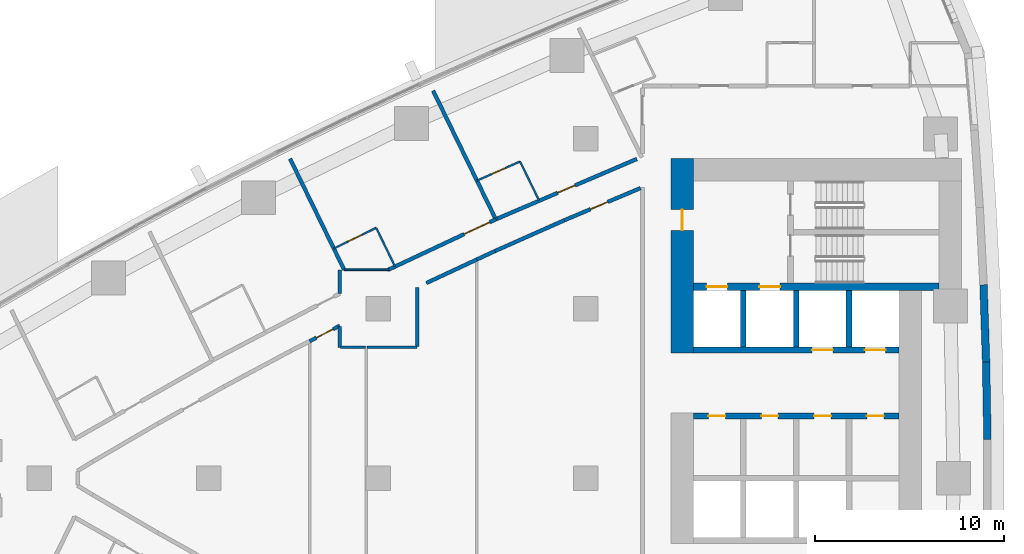
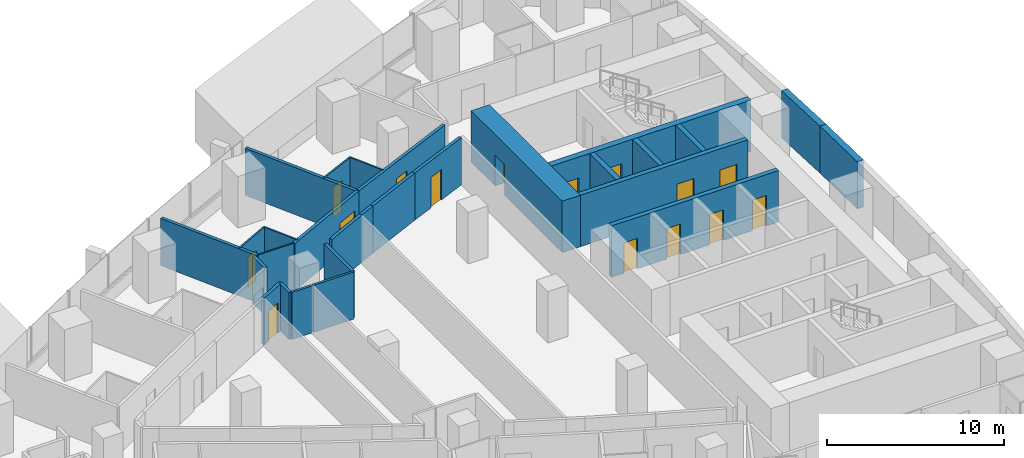
# One storey, part 12 of 19: 28 walls, 15 doors, 15 openings.
"""IFC4 building model written with IfcOpenShell, lengths in metres."""

from ifc_helpers import new_model, si_unit, direction, frame, frame_2d, origin, place, context, subcontext, project, spatial, polyline, rectangle, outline, extrude, material, layer, layer_set, type_object, element, fill, save


model = new_model("IFC4")

# Units and contexts
model_context = context("Model", 3, precision=1e-05, world=origin(), true_north=direction((0.0, 1.0)))
body_context = subcontext(model_context, "Body", "Model", "MODEL_VIEW")
ifc_project = project(units=[si_unit("LENGTHUNIT", "METRE"), si_unit("AREAUNIT", "SQUARE_METRE"), si_unit("VOLUMEUNIT", "CUBIC_METRE"), si_unit("PLANEANGLEUNIT", "RADIAN"), si_unit("MASSUNIT", "GRAM", prefix="KILO")], contexts=[model_context])

# Site, building, storey
site_placement = place(None, origin())
site = spatial("IfcSite", under=ifc_project, at=site_placement, CompositionType="ELEMENT")
building_placement = place(site_placement, origin())
building = spatial("IfcBuilding", under=site, at=building_placement, Name="Ostrand Prow Hotel Tower", CompositionType="ELEMENT")
storey_placement = place(building_placement, frame((0.0, 0.0, 53.800048828125)))
storey = spatial("IfcBuildingStorey", under=building, at=storey_placement, Name="L11", CompositionType="ELEMENT", Elevation=53.800048828125)

# Wall, opening, door
ifc_material_1 = material(Name="Concrete C80/95", Category="concrete")
ifc_layer_1 = layer(ifc_material_1, 1.199951171875)
ifc_layer_set_1 = layer_set([ifc_layer_1], Name="Concrete C80/95")
wall_type_1 = type_object("IfcWallType", Name="Core wall 1200 C80/95", PredefinedType="SHEAR", material=ifc_layer_set_1)
wall_1_placement = place(storey_placement, frame((50.10009765625, 6.64990234375, 0.0), z_axis=(0.0, 0.0, 1.0), x_axis=(0.0, 1.0, 0.0)))
wall_1 = element("IfcWall", 1, at=wall_1_placement, inside=storey, type_object=wall_type_1, Name="Core wall CW-W-N", PredefinedType="SHEAR", context=body_context, shape_type="SweptSolid", body=[
    extrude(rectangle(XDim=10.300048828125, YDim=1.199951171875, at=frame_2d((5.14990234375, 0.0))), origin(), (0.0, 0.0, 1.0), 3.550048828125),
])
opening_1_placement = place(wall_1_placement, frame((6.5, 0.0, 0.0)))
opening_1 = element("IfcOpeningElement", 2, at=opening_1_placement, cuts=wall_1, Name="Opening FD1", PredefinedType="OPENING", context=body_context, shape_type="SweptSolid", body=[
    extrude(rectangle(XDim=1.10009765625, YDim=2.10009765625, at=frame_2d((0.550048828125, 1.050048828125))), frame((0.0, 0.60986328125, 0.0), z_axis=(0.0, -1.0, 0.0), x_axis=(1.0, 0.0, 0.0)), (0.0, 0.0, 1.0), 1.219970703125),
])
ifc_material_2 = material(Name="Steel fire door", Category="steel")
door_type_1 = type_object("IfcDoorType", Name="Fire door 1100 EI120", OperationType="SINGLE_SWING_RIGHT", PredefinedType="DOOR", material=ifc_material_2)
door_1_placement = place(opening_1_placement, origin())
door_1 = element("IfcDoor", 3, at=door_1_placement, inside=storey, type_object=door_type_1, Name="FIRE DOOR", OperationType="SINGLE_SWING_RIGHT", OverallHeight=2.10009765625, OverallWidth=1.10009765625, PredefinedType="DOOR", context=body_context, shape_type="SweptSolid", body=[
    extrude(rectangle(XDim=1.10009765625, YDim=2.10009765625, at=frame_2d((0.550048828125, 1.050048828125))), frame((0.0, 0.02490234375, 0.0), z_axis=(0.0, -1.0, 0.0), x_axis=(1.0, 0.0, 0.0)), (0.0, 0.0, 1.0), 0.050048828125),
])
fill(opening_1, door_1)

# Wall, openings, doors
ifc_material_3 = material(Name="Concrete C80/95", Category="concrete")
ifc_layer_2 = layer(ifc_material_3, 0.300048828125)
ifc_layer_set_2 = layer_set([ifc_layer_2], Name="Concrete C80/95")
wall_type_2 = type_object("IfcWallType", Name="Core wall 300 C80/95", PredefinedType="SHEAR", material=ifc_layer_set_2)
wall_2_placement = place(storey_placement, frame((50.699951171875, 3.300048828125, 0.0), z_axis=(0.0, 0.0, 1.0), x_axis=(1.0, 0.0, 0.0)))
wall_2 = element("IfcWall", 4, at=wall_2_placement, inside=storey, type_object=wall_type_2, Name="Core wall PW-L1-N", PredefinedType="SHEAR", context=body_context, shape_type="SweptSolid", body=[
    extrude(rectangle(XDim=10.900146484375, YDim=0.300048828125, at=frame_2d((5.4501953125, 0.0))), origin(), (0.0, 0.0, 1.0), 3.550048828125),
])
opening_2_placement = place(wall_2_placement, frame((0.800048828125, 0.0, 0.0)))
opening_2 = element("IfcOpeningElement", 5, at=opening_2_placement, cuts=wall_2, Name="Opening FD2", PredefinedType="OPENING", context=body_context, shape_type="SweptSolid", body=[
    extrude(rectangle(XDim=0.89990234375, YDim=2.10009765625, at=frame_2d((0.449951171875, 1.050048828125))), frame((0.0, 0.159912109375, 0.0), z_axis=(0.0, -1.0, 0.0), x_axis=(1.0, 0.0, 0.0)), (0.0, 0.0, 1.0), 0.320068359375),
])
opening_3_placement = place(wall_2_placement, frame((3.60009765625, 0.0, 0.0)))
opening_3 = element("IfcOpeningElement", 6, at=opening_3_placement, cuts=wall_2, Name="Opening FD2", PredefinedType="OPENING", context=body_context, shape_type="SweptSolid", body=[
    extrude(rectangle(XDim=0.89990234375, YDim=2.10009765625, at=frame_2d((0.449951171875, 1.050048828125))), frame((0.0, 0.159912109375, 0.0), z_axis=(0.0, -1.0, 0.0), x_axis=(1.0, 0.0, 0.0)), (0.0, 0.0, 1.0), 0.320068359375),
])
opening_4_placement = place(wall_2_placement, frame((6.39990234375, 0.0, 0.0)))
opening_4 = element("IfcOpeningElement", 7, at=opening_4_placement, cuts=wall_2, Name="Opening FD2", PredefinedType="OPENING", context=body_context, shape_type="SweptSolid", body=[
    extrude(rectangle(XDim=0.89990234375, YDim=2.10009765625, at=frame_2d((0.449951171875, 1.050048828125))), frame((0.0, 0.159912109375, 0.0), z_axis=(0.0, -1.0, 0.0), x_axis=(1.0, 0.0, 0.0)), (0.0, 0.0, 1.0), 0.320068359375),
])
opening_5_placement = place(wall_2_placement, frame((9.199951171875, 0.0, 0.0)))
opening_5 = element("IfcOpeningElement", 8, at=opening_5_placement, cuts=wall_2, Name="Opening FD2", PredefinedType="OPENING", context=body_context, shape_type="SweptSolid", body=[
    extrude(rectangle(XDim=0.89990234375, YDim=2.10009765625, at=frame_2d((0.449951171875, 1.050048828125))), frame((0.0, 0.159912109375, 0.0), z_axis=(0.0, -1.0, 0.0), x_axis=(1.0, 0.0, 0.0)), (0.0, 0.0, 1.0), 0.320068359375),
])
ifc_material_4 = material(Name="Steel fire door", Category="steel")
door_type_2 = type_object("IfcDoorType", Name="Fire door 900 EI120", OperationType="SINGLE_SWING_LEFT", PredefinedType="DOOR", material=ifc_material_4)
door_2_placement = place(opening_2_placement, origin())
door_2 = element("IfcDoor", 9, at=door_2_placement, inside=storey, type_object=door_type_2, Name="DOOR", OperationType="SINGLE_SWING_LEFT", OverallHeight=2.10009765625, OverallWidth=0.89990234375, PredefinedType="DOOR", context=body_context, shape_type="SweptSolid", body=[
    extrude(rectangle(XDim=0.89990234375, YDim=2.10009765625, at=frame_2d((0.449951171875, 1.050048828125))), frame((0.0, 0.02490234375, 0.0), z_axis=(0.0, -1.0, 0.0), x_axis=(1.0, 0.0, 0.0)), (0.0, 0.0, 1.0), 0.050048828125),
])
fill(opening_2, door_2)
door_3_placement = place(opening_3_placement, origin())
door_3 = element("IfcDoor", 10, at=door_3_placement, inside=storey, type_object=door_type_2, Name="DOOR", OperationType="SINGLE_SWING_LEFT", OverallHeight=2.10009765625, OverallWidth=0.89990234375, PredefinedType="DOOR", context=body_context, shape_type="SweptSolid", body=[
    extrude(rectangle(XDim=0.89990234375, YDim=2.10009765625, at=frame_2d((0.449951171875, 1.050048828125))), frame((0.0, 0.02490234375, 0.0), z_axis=(0.0, -1.0, 0.0), x_axis=(1.0, 0.0, 0.0)), (0.0, 0.0, 1.0), 0.050048828125),
])
fill(opening_3, door_3)
door_4_placement = place(opening_4_placement, origin())
door_4 = element("IfcDoor", 11, at=door_4_placement, inside=storey, type_object=door_type_2, Name="DOOR", OperationType="SINGLE_SWING_LEFT", OverallHeight=2.10009765625, OverallWidth=0.89990234375, PredefinedType="DOOR", context=body_context, shape_type="SweptSolid", body=[
    extrude(rectangle(XDim=0.89990234375, YDim=2.10009765625, at=frame_2d((0.449951171875, 1.050048828125))), frame((0.0, 0.02490234375, 0.0), z_axis=(0.0, -1.0, 0.0), x_axis=(1.0, 0.0, 0.0)), (0.0, 0.0, 1.0), 0.050048828125),
])
fill(opening_4, door_4)
door_5_placement = place(opening_5_placement, origin())
door_5 = element("IfcDoor", 12, at=door_5_placement, inside=storey, type_object=door_type_2, Name="DOOR", OperationType="SINGLE_SWING_LEFT", OverallHeight=2.10009765625, OverallWidth=0.89990234375, PredefinedType="DOOR", context=body_context, shape_type="SweptSolid", body=[
    extrude(rectangle(XDim=0.89990234375, YDim=2.10009765625, at=frame_2d((0.449951171875, 1.050048828125))), frame((0.0, 0.02490234375, 0.0), z_axis=(0.0, -1.0, 0.0), x_axis=(1.0, 0.0, 0.0)), (0.0, 0.0, 1.0), 0.050048828125),
])
fill(opening_5, door_5)

wall_3_placement = place(storey_placement, frame((50.699951171875, 6.800048828125, 0.0), z_axis=(0.0, 0.0, 1.0), x_axis=(1.0, 0.0, 0.0)))
wall_3 = element("IfcWall", 13, at=wall_3_placement, inside=storey, type_object=wall_type_2, Name="Core wall PW-L2-N", PredefinedType="SHEAR", context=body_context, shape_type="SweptSolid", body=[
    extrude(rectangle(XDim=10.900146484375, YDim=0.300048828125, at=frame_2d((5.4501953125, 0.0))), origin(), (0.0, 0.0, 1.0), 3.550048828125),
])
opening_6_placement = place(wall_3_placement, frame((6.300048828125, 0.0, 0.0)))
opening_6 = element("IfcOpeningElement", 14, at=opening_6_placement, cuts=wall_3, Name="Opening LD", PredefinedType="OPENING", context=body_context, shape_type="SweptSolid", body=[
    extrude(rectangle(XDim=1.10009765625, YDim=2.10009765625, at=frame_2d((0.550048828125, 1.050048828125))), frame((0.0, 0.159912109375, 0.0), z_axis=(0.0, -1.0, 0.0), x_axis=(1.0, 0.0, 0.0)), (0.0, 0.0, 1.0), 0.320068359375),
])
opening_7_placement = place(wall_3_placement, frame((9.10009765625, 0.0, 0.0)))
opening_7 = element("IfcOpeningElement", 15, at=opening_7_placement, cuts=wall_3, Name="Opening LD", PredefinedType="OPENING", context=body_context, shape_type="SweptSolid", body=[
    extrude(rectangle(XDim=1.10009765625, YDim=2.10009765625, at=frame_2d((0.550048828125, 1.050048828125))), frame((0.0, 0.159912109375, 0.0), z_axis=(0.0, -1.0, 0.0), x_axis=(1.0, 0.0, 0.0)), (0.0, 0.0, 1.0), 0.320068359375),
])
ifc_material_5 = material(Name="Stainless steel door", Category="steel")
door_type_3 = type_object("IfcDoorType", Name="Lift landing door 1100", OperationType="DOUBLE_DOOR_SLIDING", PredefinedType="DOOR", material=ifc_material_5)
door_6_placement = place(opening_6_placement, origin())
door_6 = element("IfcDoor", 16, at=door_6_placement, inside=storey, type_object=door_type_3, Name="LIFT LANDING DOOR", OperationType="DOUBLE_DOOR_SLIDING", OverallHeight=2.10009765625, OverallWidth=1.10009765625, PredefinedType="DOOR", context=body_context, shape_type="SweptSolid", body=[
    extrude(rectangle(XDim=1.10009765625, YDim=2.10009765625, at=frame_2d((0.550048828125, 1.050048828125))), frame((0.0, 0.02490234375, 0.0), z_axis=(0.0, -1.0, 0.0), x_axis=(1.0, 0.0, 0.0)), (0.0, 0.0, 1.0), 0.050048828125),
])
fill(opening_6, door_6)
door_7_placement = place(opening_7_placement, origin())
door_7 = element("IfcDoor", 17, at=door_7_placement, inside=storey, type_object=door_type_3, Name="LIFT LANDING DOOR", OperationType="DOUBLE_DOOR_SLIDING", OverallHeight=2.10009765625, OverallWidth=1.10009765625, PredefinedType="DOOR", context=body_context, shape_type="SweptSolid", body=[
    extrude(rectangle(XDim=1.10009765625, YDim=2.10009765625, at=frame_2d((0.550048828125, 1.050048828125))), frame((0.0, 0.02490234375, 0.0), z_axis=(0.0, -1.0, 0.0), x_axis=(1.0, 0.0, 0.0)), (0.0, 0.0, 1.0), 0.050048828125),
])
fill(opening_7, door_7)

# Walls
for number, where, z_axis, x_axis, name in (
    (18, (53.35009765625, 6.949951171875, 0.0), (0.0, 0.0, 1.0), (0.0, 1.0, 0.0), "Core wall PW-R1-NA"),
    (19, (56.14990234375, 6.949951171875, 0.0), (0.0, 0.0, 1.0), (0.0, 1.0, 0.0), "Core wall PW-R2-NA"),
    (20, (58.949951171875, 6.949951171875, 0.0), (0.0, 0.0, 1.0), (0.0, 1.0, 0.0), "Core wall PW-R3-NA"),
):
    element("IfcWall", number, at=place(storey_placement, frame(where, z_axis=z_axis, x_axis=x_axis)), inside=storey, type_object=wall_type_2, Name=name, PredefinedType="SHEAR", context=body_context, shape_type="SweptSolid", body=[
        extrude(rectangle(XDim=3.0, YDim=0.300048828125, at=frame_2d((1.5, 0.0))), origin(), (0.0, 0.0, 1.0), 3.550048828125),
    ])

# Wall, openings, doors
ifc_material_6 = material(Name="Concrete C80/95", Category="concrete")
ifc_layer_3 = layer(ifc_material_6, 0.39990234375)
ifc_layer_set_3 = layer_set([ifc_layer_3], Name="Concrete C80/95")
wall_type_3 = type_object("IfcWallType", Name="Core wall 400 C80/95", PredefinedType="SHEAR", material=ifc_layer_set_3)
wall_4_placement = place(storey_placement, frame((50.699951171875, 10.14990234375, 0.0), z_axis=(0.0, 0.0, 1.0), x_axis=(1.0, 0.0, 0.0)))
wall_4 = element("IfcWall", 21, at=wall_4_placement, inside=storey, type_object=wall_type_3, Name="Core wall PW-BN", PredefinedType="SHEAR", context=body_context, shape_type="SweptSolid", body=[
    extrude(rectangle(XDim=13.02001953125, YDim=0.39990234375, at=frame_2d((6.510009765625, 0.0))), origin(), (0.0, 0.0, 1.0), 3.550048828125),
])
opening_8_placement = place(wall_4_placement, frame((0.699951171875, 0.0, 0.0)))
opening_8 = element("IfcOpeningElement", 22, at=opening_8_placement, cuts=wall_4, Name="Opening LD", PredefinedType="OPENING", context=body_context, shape_type="SweptSolid", body=[
    extrude(rectangle(XDim=1.10009765625, YDim=2.10009765625, at=frame_2d((0.550048828125, 1.050048828125))), frame((0.0, 0.2099609375, 0.0), z_axis=(0.0, -1.0, 0.0), x_axis=(1.0, 0.0, 0.0)), (0.0, 0.0, 1.0), 0.419921875),
])
opening_9_placement = place(wall_4_placement, frame((3.5, 0.0, 0.0)))
opening_9 = element("IfcOpeningElement", 23, at=opening_9_placement, cuts=wall_4, Name="Opening LD", PredefinedType="OPENING", context=body_context, shape_type="SweptSolid", body=[
    extrude(rectangle(XDim=1.10009765625, YDim=2.10009765625, at=frame_2d((0.550048828125, 1.050048828125))), frame((0.0, 0.2099609375, 0.0), z_axis=(0.0, -1.0, 0.0), x_axis=(1.0, 0.0, 0.0)), (0.0, 0.0, 1.0), 0.419921875),
])
door_8_placement = place(opening_8_placement, origin())
door_8 = element("IfcDoor", 24, at=door_8_placement, inside=storey, type_object=door_type_3, Name="LIFT LANDING DOOR", OperationType="DOUBLE_DOOR_SLIDING", OverallHeight=2.10009765625, OverallWidth=1.10009765625, PredefinedType="DOOR", context=body_context, shape_type="SweptSolid", body=[
    extrude(rectangle(XDim=1.10009765625, YDim=2.10009765625, at=frame_2d((0.550048828125, 1.050048828125))), frame((0.0, 0.02490234375, 0.0), z_axis=(0.0, -1.0, 0.0), x_axis=(1.0, 0.0, 0.0)), (0.0, 0.0, 1.0), 0.050048828125),
])
fill(opening_8, door_8)
door_9_placement = place(opening_9_placement, origin())
door_9 = element("IfcDoor", 25, at=door_9_placement, inside=storey, type_object=door_type_3, Name="LIFT LANDING DOOR", OperationType="DOUBLE_DOOR_SLIDING", OverallHeight=2.10009765625, OverallWidth=1.10009765625, PredefinedType="DOOR", context=body_context, shape_type="SweptSolid", body=[
    extrude(rectangle(XDim=1.10009765625, YDim=2.10009765625, at=frame_2d((0.550048828125, 1.050048828125))), frame((0.0, 0.02490234375, 0.0), z_axis=(0.0, -1.0, 0.0), x_axis=(1.0, 0.0, 0.0)), (0.0, 0.0, 1.0), 0.050048828125),
])
fill(opening_9, door_9)

# Wall, opening, door
ifc_material_7 = material(Name="Plasterboard partition")
ifc_layer_4 = layer(ifc_material_7, 0.10009765625)
ifc_layer_set_4 = layer_set([ifc_layer_4], Name="Plasterboard partition")
wall_type_4 = type_object("IfcWallType", Name="Partition 100 bathroom wall", PredefinedType="PARTITIONING", material=ifc_layer_set_4)
wall_5_placement = place(storey_placement, frame((31.6328125, 12.18212890625, 0.0), z_axis=(0.0, 0.0, 1.0), x_axis=(0.89845285455, 0.439070003702, 0.0)))
wall_5 = element("IfcWall", 26, at=wall_5_placement, inside=storey, type_object=wall_type_4, Name="BATHROOM WALL", PredefinedType="PARTITIONING", context=body_context, shape_type="SweptSolid", body=[
    extrude(rectangle(XDim=2.5, YDim=0.10009765625, at=frame_2d((1.25, 0.0))), origin(), (0.0, 0.0, 1.0), 3.25),
])
opening_10_placement = place(wall_5_placement, frame((0.85009765625, 0.0, 0.0)))
opening_10 = element("IfcOpeningElement", 27, at=opening_10_placement, cuts=wall_5, Name="Opening D2", PredefinedType="OPENING", context=body_context, shape_type="SweptSolid", body=[
    extrude(rectangle(XDim=0.800048828125, YDim=2.10009765625, at=frame_2d((0.39990234375, 1.050048828125))), frame((0.0, 0.06005859375, 0.0), z_axis=(0.0, -1.0, 0.0), x_axis=(1.0, 0.0, 0.0)), (0.0, 0.0, 1.0), 0.1201171875),
])
ifc_material_8 = material(Name="Timber door leaf", Category="wood")
door_type_4 = type_object("IfcDoorType", Name="Bathroom door 800", OperationType="SINGLE_SWING_LEFT", PredefinedType="DOOR", material=ifc_material_8)
door_10_placement = place(opening_10_placement, origin())
door_10 = element("IfcDoor", 28, at=door_10_placement, inside=storey, type_object=door_type_4, Name="DOOR", OperationType="SINGLE_SWING_LEFT", OverallHeight=2.10009765625, OverallWidth=0.800048828125, PredefinedType="DOOR", context=body_context, shape_type="SweptSolid", body=[
    extrude(rectangle(XDim=0.800048828125, YDim=2.10009765625, at=frame_2d((0.39990234375, 1.050048828125))), frame((0.0, 0.02490234375, 0.0), z_axis=(0.0, -1.0, 0.0), x_axis=(1.0, 0.0, 0.0)), (0.0, 0.0, 1.0), 0.050048828125),
])
fill(opening_10, door_10)

# Wall
wall_6_placement = place(storey_placement, frame((33.87890625, 13.27978515625, 0.0), z_axis=(0.0, 0.0, 1.0), x_axis=(0.438227154656, -0.898864261678, 0.0)))
element("IfcWall", 29, at=wall_6_placement, inside=storey, type_object=wall_type_4, Name="BATHROOM WALL", PredefinedType="PARTITIONING", context=body_context, shape_type="SweptSolid", body=[
    extrude(rectangle(XDim=2.27685546875, YDim=0.10009765625, at=frame_2d((1.138427734375, 0.0))), origin(), (0.0, 0.0, 1.0), 3.25),
])

# Wall, opening, door
wall_7_placement = place(storey_placement, frame((39.223388671875, 15.781005859375, 0.0), z_axis=(0.0, 0.0, 1.0), x_axis=(0.914000607553, 0.405712816401, 0.0)))
wall_7 = element("IfcWall", 30, at=wall_7_placement, inside=storey, type_object=wall_type_4, Name="BATHROOM WALL", PredefinedType="PARTITIONING", context=body_context, shape_type="SweptSolid", body=[
    extrude(rectangle(XDim=2.50146484375, YDim=0.10009765625, at=frame_2d((1.250732421875, 0.0))), origin(), (0.0, 0.0, 1.0), 3.25),
])
opening_11_placement = place(wall_7_placement, frame((0.85009765625, 0.0, 0.0)))
opening_11 = element("IfcOpeningElement", 31, at=opening_11_placement, cuts=wall_7, Name="Opening D2", PredefinedType="OPENING", context=body_context, shape_type="SweptSolid", body=[
    extrude(rectangle(XDim=0.800048828125, YDim=2.10009765625, at=frame_2d((0.39990234375, 1.050048828125))), frame((0.0, 0.06005859375, 0.0), z_axis=(0.0, -1.0, 0.0), x_axis=(1.0, 0.0, 0.0)), (0.0, 0.0, 1.0), 0.1201171875),
])
door_11_placement = place(opening_11_placement, origin())
door_11 = element("IfcDoor", 32, at=door_11_placement, inside=storey, type_object=door_type_4, Name="DOOR", OperationType="SINGLE_SWING_LEFT", OverallHeight=2.10009765625, OverallWidth=0.800048828125, PredefinedType="DOOR", context=body_context, shape_type="SweptSolid", body=[
    extrude(rectangle(XDim=0.800048828125, YDim=2.10009765625, at=frame_2d((0.39990234375, 1.050048828125))), frame((0.0, 0.02490234375, 0.0), z_axis=(0.0, -1.0, 0.0), x_axis=(1.0, 0.0, 0.0)), (0.0, 0.0, 1.0), 0.050048828125),
])
fill(opening_11, door_11)

# Walls
wall_8_placement = place(storey_placement, frame((41.510009765625, 16.7958984375, 0.0), z_axis=(0.0, 0.0, 1.0), x_axis=(0.4381470535, -0.898903309321, 0.0)))
element("IfcWall", 33, at=wall_8_placement, inside=storey, type_object=wall_type_4, Name="BATHROOM WALL", PredefinedType="PARTITIONING", context=body_context, shape_type="SweptSolid", body=[
    extrude(rectangle(XDim=2.2783203125, YDim=0.10009765625, at=frame_2d((1.13916015625, 0.0))), origin(), (0.0, 0.0, 1.0), 3.25),
])
wall_9_placement = place(storey_placement, frame((34.55322265625, 11.054931640625, 0.0), z_axis=(0.0, 0.0, 1.0), x_axis=(-1.0, 0.0, 0.0)))
element("IfcWall", 34, at=wall_9_placement, inside=storey, type_object=wall_type_4, Name="BATHROOM WALL", PredefinedType="PARTITIONING", context=body_context, shape_type="SweptSolid", body=[
    extrude(rectangle(XDim=2.370849609375, YDim=0.10009765625, at=frame_2d((1.185546875, 0.0))), origin(), (0.0, 0.0, 1.0), 3.25),
])
ifc_material_9 = material(Name="Plasterboard partition")
ifc_layer_5 = layer(ifc_material_9, 0.14990234375)
ifc_layer_set_5 = layer_set([ifc_layer_5], Name="Plasterboard partition")
wall_type_5 = type_object("IfcWallType", Name="Partition 150 room partition", PredefinedType="PARTITIONING", material=ifc_layer_set_5)
wall_10_placement = place(storey_placement, frame((31.98681640625, 6.946044921875, 0.0), z_axis=(0.0, 0.0, 1.0), x_axis=(0.999999728974, -0.000736241288, 0.0)))
element("IfcWall", 35, at=wall_10_placement, inside=storey, type_object=wall_type_5, Name="ROOM PARTITION", PredefinedType="PARTITIONING", context=body_context, shape_type="SweptSolid", body=[
    extrude(rectangle(XDim=1.326416015625, YDim=0.14990234375, at=frame_2d((0.6630859375, 0.0))), origin(), (0.0, 0.0, 1.0), 3.25),
])
wall_11_placement = place(storey_placement, frame((33.393310546875, 6.945068359375, 0.0), z_axis=(0.0, 0.0, 1.0), x_axis=(0.999999932604, 0.000367140866, 0.0)))
element("IfcWall", 36, at=wall_11_placement, inside=storey, type_object=wall_type_5, Name="ROOM PARTITION", PredefinedType="PARTITIONING", context=body_context, shape_type="SweptSolid", body=[
    extrude(rectangle(XDim=2.659912109375, YDim=0.14990234375, at=frame_2d((1.330078125, 0.0))), origin(), (0.0, 0.0, 1.0), 3.25),
])

# Wall, opening, door
ifc_material_10 = material(Name="Plasterboard partition")
ifc_layer_6 = layer(ifc_material_10, 0.199951171875)
ifc_layer_set_6 = layer_set([ifc_layer_6], Name="Plasterboard partition")
wall_type_6 = type_object("IfcWallType", Name="Partition 200 corridor wall", PredefinedType="PARTITIONING", material=ifc_layer_set_6)
wall_12_placement = place(storey_placement, frame((40.22314453125, 13.730224609375, 0.0), z_axis=(0.0, 0.0, 1.0), x_axis=(-0.905363217407, -0.424638015923, 0.0)))
wall_12 = element("IfcWall", 37, at=wall_12_placement, inside=storey, type_object=wall_type_6, Name="CORRIDOR WALL", PredefinedType="PARTITIONING", context=body_context, shape_type="SweptSolid", body=[
    extrude(rectangle(XDim=6.311767578125, YDim=0.199951171875, at=frame_2d((3.15576171875, 0.0))), origin(), (0.0, 0.0, 1.0), 3.25),
])
opening_12_placement = place(wall_12_placement, frame((0.35009765625, 0.0, 0.0)))
opening_12 = element("IfcOpeningElement", 38, at=opening_12_placement, cuts=wall_12, Name="Opening D15", PredefinedType="OPENING", context=body_context, shape_type="SweptSolid", body=[
    extrude(rectangle(XDim=1.5, YDim=2.10009765625, at=frame_2d((0.75, 1.050048828125))), frame((0.0, 0.10986328125, 0.0), z_axis=(0.0, -1.0, 0.0), x_axis=(1.0, 0.0, 0.0)), (0.0, 0.0, 1.0), 0.219970703125),
])
ifc_material_11 = material(Name="Timber door leaf", Category="wood")
door_type_5 = type_object("IfcDoorType", Name="Double door 1500", OperationType="DOUBLE_DOOR_SINGLE_SWING", PredefinedType="DOOR", material=ifc_material_11)
door_12_placement = place(opening_12_placement, origin())
door_12 = element("IfcDoor", 39, at=door_12_placement, inside=storey, type_object=door_type_5, Name="DOOR", OperationType="DOUBLE_DOOR_SINGLE_SWING", OverallHeight=2.10009765625, OverallWidth=1.5, PredefinedType="DOOR", context=body_context, shape_type="SweptSolid", body=[
    extrude(rectangle(XDim=1.5, YDim=2.10009765625, at=frame_2d((0.75, 1.050048828125))), frame((0.0, 0.02490234375, 0.0), z_axis=(0.0, -1.0, 0.0), x_axis=(1.0, 0.0, 0.0)), (0.0, 0.0, 1.0), 0.050048828125),
])
fill(opening_12, door_12)

wall_13_placement = place(storey_placement, frame((30.353271484375, 7.267578125, 0.0), z_axis=(0.0, 0.0, 1.0), x_axis=(0.890195531144, 0.455578660969, 0.0)))
wall_13 = element("IfcWall", 40, at=wall_13_placement, inside=storey, type_object=wall_type_6, Name="CORRIDOR WALL", PredefinedType="PARTITIONING", context=body_context, shape_type="SweptSolid", body=[
    extrude(rectangle(XDim=1.793701171875, YDim=0.199951171875, at=frame_2d((0.89697265625, 0.0))), origin(), (0.0, 0.0, 1.0), 3.25),
])
opening_13_placement = place(wall_13_placement, frame((0.39697265625, 0.0, 0.0)))
opening_13 = element("IfcOpeningElement", 41, at=opening_13_placement, cuts=wall_13, Name="Opening D1", PredefinedType="OPENING", context=body_context, shape_type="SweptSolid", body=[
    extrude(rectangle(XDim=1.0, YDim=2.10009765625, at=frame_2d((0.5, 1.050048828125))), frame((0.0, 0.10986328125, 0.0), z_axis=(0.0, -1.0, 0.0), x_axis=(1.0, 0.0, 0.0)), (0.0, 0.0, 1.0), 0.219970703125),
])
ifc_material_12 = material(Name="Timber door leaf", Category="wood")
door_type_6 = type_object("IfcDoorType", Name="Guest room door 1000", OperationType="SINGLE_SWING_LEFT", PredefinedType="DOOR", material=ifc_material_12)
door_13_placement = place(opening_13_placement, origin())
door_13 = element("IfcDoor", 42, at=door_13_placement, inside=storey, type_object=door_type_6, Name="DOOR", OperationType="SINGLE_SWING_LEFT", OverallHeight=2.10009765625, OverallWidth=1.0, PredefinedType="DOOR", context=body_context, shape_type="SweptSolid", body=[
    extrude(rectangle(XDim=1.0, YDim=2.10009765625, at=frame_2d((0.5, 1.050048828125))), frame((0.0, 0.02490234375, 0.0), z_axis=(0.0, -1.0, 0.0), x_axis=(1.0, 0.0, 0.0)), (0.0, 0.0, 1.0), 0.050048828125),
])
fill(opening_13, door_13)

# Wall
wall_14_placement = place(storey_placement, frame((36.5400390625, 10.35107421875, 0.0), z_axis=(0.0, 0.0, 1.0), x_axis=(0.906348100281, 0.422531798943, 0.0)))
element("IfcWall", 43, at=wall_14_placement, inside=storey, type_object=wall_type_6, Name="CORRIDOR WALL", PredefinedType="PARTITIONING", context=body_context, shape_type="SweptSolid", body=[
    extrude(rectangle(XDim=2.947998046875, YDim=0.199951171875, at=frame_2d((1.47412109375, 0.0))), origin(), (0.0, 0.0, 1.0), 3.25),
])

# Wall, opening, door
wall_15_placement = place(storey_placement, frame((43.85009765625, 13.67724609375, 0.0), z_axis=(0.0, 0.0, 1.0), x_axis=(0.921265924084, 0.388933281068, 0.0)))
wall_15 = element("IfcWall", 44, at=wall_15_placement, inside=storey, type_object=wall_type_6, Name="CORRIDOR WALL", PredefinedType="PARTITIONING", context=body_context, shape_type="SweptSolid", body=[
    extrude(rectangle(XDim=4.39599609375, YDim=0.199951171875, at=frame_2d((2.197998046875, 0.0))), origin(), (0.0, 0.0, 1.0), 3.25),
])
opening_14_placement = place(wall_15_placement, frame((1.5078125, 0.0, 0.0)))
opening_14 = element("IfcOpeningElement", 45, at=opening_14_placement, cuts=wall_15, Name="Opening D1", PredefinedType="OPENING", context=body_context, shape_type="SweptSolid", body=[
    extrude(rectangle(XDim=1.0, YDim=2.10009765625, at=frame_2d((0.5, 1.050048828125))), frame((0.0, 0.10986328125, 0.0), z_axis=(0.0, -1.0, 0.0), x_axis=(1.0, 0.0, 0.0)), (0.0, 0.0, 1.0), 0.219970703125),
])
door_14_placement = place(opening_14_placement, origin())
door_14 = element("IfcDoor", 46, at=door_14_placement, inside=storey, type_object=door_type_6, Name="DOOR", OperationType="SINGLE_SWING_LEFT", OverallHeight=2.10009765625, OverallWidth=1.0, PredefinedType="DOOR", context=body_context, shape_type="SweptSolid", body=[
    extrude(rectangle(XDim=1.0, YDim=2.10009765625, at=frame_2d((0.5, 1.050048828125))), frame((0.0, 0.02490234375, 0.0), z_axis=(0.0, -1.0, 0.0), x_axis=(1.0, 0.0, 0.0)), (0.0, 0.0, 1.0), 0.050048828125),
])
fill(opening_14, door_14)

# Walls
wall_16_placement = place(storey_placement, frame((40.1796875, 12.0478515625, 0.0), z_axis=(0.0, 0.0, 1.0), x_axis=(0.913986953061, 0.405743576209, 0.0)))
element("IfcWall", 47, at=wall_16_placement, inside=storey, type_object=wall_type_6, Name="CORRIDOR WALL", PredefinedType="PARTITIONING", context=body_context, shape_type="SweptSolid", body=[
    extrude(rectangle(XDim=4.015869140625, YDim=0.199951171875, at=frame_2d((2.0078125, 0.0))), origin(), (0.0, 0.0, 1.0), 3.25),
])
wall_17_placement = place(storey_placement, frame((39.2119140625, 11.5966796875, 0.0), z_axis=(0.0, 0.0, 1.0), x_axis=(0.906346628109, 0.422534956797, 0.0)))
element("IfcWall", 48, at=wall_17_placement, inside=storey, type_object=wall_type_6, Name="CORRIDOR WALL", PredefinedType="PARTITIONING", context=body_context, shape_type="SweptSolid", body=[
    extrude(rectangle(XDim=1.06787109375, YDim=0.199951171875, at=frame_2d((0.533935546875, 0.0))), origin(), (0.0, 0.0, 1.0), 3.25),
])

# Wall, opening, door
wall_18_placement = place(storey_placement, frame((47.703857421875, 16.931396484375, 0.0), z_axis=(0.0, 0.0, 1.0), x_axis=(-0.919360612497, -0.39341589214, 0.0)))
wall_18 = element("IfcWall", 49, at=wall_18_placement, inside=storey, type_object=wall_type_6, Name="CORRIDOR WALL", PredefinedType="PARTITIONING", context=body_context, shape_type="SweptSolid", body=[
    extrude(rectangle(XDim=8.136962890625, YDim=0.199951171875, at=frame_2d((4.068359375, 0.0))), origin(), (0.0, 0.0, 1.0), 3.25),
])
opening_15_placement = place(wall_18_placement, frame((3.568115234375, 0.0, 0.0)))
opening_15 = element("IfcOpeningElement", 50, at=opening_15_placement, cuts=wall_18, Name="Opening D1", PredefinedType="OPENING", context=body_context, shape_type="SweptSolid", body=[
    extrude(rectangle(XDim=1.0, YDim=2.10009765625, at=frame_2d((0.5, 1.050048828125))), frame((0.0, 0.10986328125, 0.0), z_axis=(0.0, -1.0, 0.0), x_axis=(1.0, 0.0, 0.0)), (0.0, 0.0, 1.0), 0.219970703125),
])
door_15_placement = place(opening_15_placement, origin())
door_15 = element("IfcDoor", 51, at=door_15_placement, inside=storey, type_object=door_type_6, Name="DOOR", OperationType="SINGLE_SWING_LEFT", OverallHeight=2.10009765625, OverallWidth=1.0, PredefinedType="DOOR", context=body_context, shape_type="SweptSolid", body=[
    extrude(rectangle(XDim=1.0, YDim=2.10009765625, at=frame_2d((0.5, 1.050048828125))), frame((0.0, 0.02490234375, 0.0), z_axis=(0.0, -1.0, 0.0), x_axis=(1.0, 0.0, 0.0)), (0.0, 0.0, 1.0), 0.050048828125),
])
fill(opening_15, door_15)

# Walls
wall_19_placement = place(storey_placement, frame((31.945068359375, 8.037353515625, 0.0), z_axis=(0.0, 0.0, 1.0), x_axis=(0.001565993606, -0.999998773831, 0.0)))
element("IfcWall", 52, at=wall_19_placement, inside=storey, type_object=wall_type_6, Name="CORRIDOR WALL", PredefinedType="PARTITIONING", context=body_context, shape_type="SweptSolid", body=[
    extrude(rectangle(XDim=1.09130859375, YDim=0.199951171875, at=frame_2d((0.545654296875, 0.0))), origin(), (0.0, 0.0, 1.0), 3.25),
])
wall_20_placement = place(storey_placement, frame((36.05322265625, 6.986083984375, 0.0), z_axis=(0.0, 0.0, 1.0), x_axis=(0.000547345293, 0.999999850207, 0.0)))
element("IfcWall", 53, at=wall_20_placement, inside=storey, type_object=wall_type_6, Name="CORRIDOR WALL", PredefinedType="PARTITIONING", context=body_context, shape_type="SweptSolid", body=[
    extrude(rectangle(XDim=3.122314453125, YDim=0.199951171875, at=frame_2d((1.56103515625, 0.0))), origin(), (0.0, 0.0, 1.0), 3.25),
])
wall_21_placement = place(storey_placement, frame((31.945068359375, 11.051025390625, 0.0), z_axis=(0.0, 0.0, 1.0), x_axis=(0.00387969922, -0.999992473939, 0.0)))
element("IfcWall", 54, at=wall_21_placement, inside=storey, type_object=wall_type_6, Name="CORRIDOR WALL", PredefinedType="PARTITIONING", context=body_context, shape_type="SweptSolid", body=[
    extrude(rectangle(XDim=1.258544921875, YDim=0.199951171875, at=frame_2d((0.62939453125, 0.0))), origin(), (0.0, 0.0, 1.0), 3.25),
])
ifc_material_13 = material(Name="Plasterboard partition")
ifc_layer_7 = layer(ifc_material_13, 0.199951171875)
ifc_layer_set_7 = layer_set([ifc_layer_7], Name="Plasterboard partition")
wall_type_7 = type_object("IfcWallType", Name="Partition 200 key partition", PredefinedType="PARTITIONING", material=ifc_layer_set_7)
wall_22_placement = place(storey_placement, frame((32.184814453125, 11.050048828125, 0.0), z_axis=(0.0, 0.0, 1.0), x_axis=(-0.438228560869, 0.898863576099, 0.0)))
element("IfcWall", 55, at=wall_22_placement, inside=storey, type_object=wall_type_7, Name="KEY PARTITION", PredefinedType="PARTITIONING", context=body_context, shape_type="SweptSolid", body=[
    extrude(rectangle(XDim=6.559326171875, YDim=0.199951171875, at=frame_2d((3.27978515625, 0.0))), origin(), (0.0, 0.0, 1.0), 3.25),
])
wall_23_placement = place(storey_placement, frame((40.23193359375, 13.712158203125, 0.0), z_axis=(0.0, 0.0, 1.0), x_axis=(-0.438202247191, 0.898876404494, 0.0)))
element("IfcWall", 56, at=wall_23_placement, inside=storey, type_object=wall_type_7, Name="KEY PARTITION", PredefinedType="PARTITIONING", context=body_context, shape_type="SweptSolid", body=[
    extrude(rectangle(XDim=7.60498046875, YDim=0.199951171875, at=frame_2d((3.802490234375, 0.0))), origin(), (0.0, 0.0, 1.0), 3.25),
])
ifc_material_14 = material(Name="Precast concrete C40/50", Category="concrete")
ifc_layer_8 = layer(ifc_material_14, 0.39990234375)
ifc_layer_set_8 = layer_set([ifc_layer_8], Name="Precast concrete C40/50")
wall_type_8 = type_object("IfcWallType", Name="Stone-faced precast wall 400 mm", PredefinedType="NOTDEFINED", material=ifc_layer_set_8)
for number, where, z_axis, x_axis, name in (
    (57, (66.29150390625, 2.052490234375, 0.0), (0.0, 0.0, 1.0), (-0.016830829972, 0.999858351549, 0.0), "Stone-faced wall back 11"),
    (58, (66.222412109375, 6.156982421875, 0.0), (0.0, 0.0, 1.0), (-0.033542554696, 0.999437290191, 0.0), "Stone-faced wall back 12"),
):
    element("IfcWall", number, at=place(storey_placement, frame(where, z_axis=z_axis, x_axis=x_axis)), inside=storey, type_object=wall_type_8, Name=name, PredefinedType="NOTDEFINED", context=body_context, shape_type="SweptSolid", body=[
        extrude(outline(polyline([(-0.001708984375, -0.199951171875), (4.106689453125, -0.199951171875), (4.103271484375, 0.199951171875), (0.001708984375, 0.199951171875), (-0.001708984375, -0.199951171875)])), origin(), (0.0, 0.0, 1.0), 3.25),
    ])

save(model, "model.ifc")
